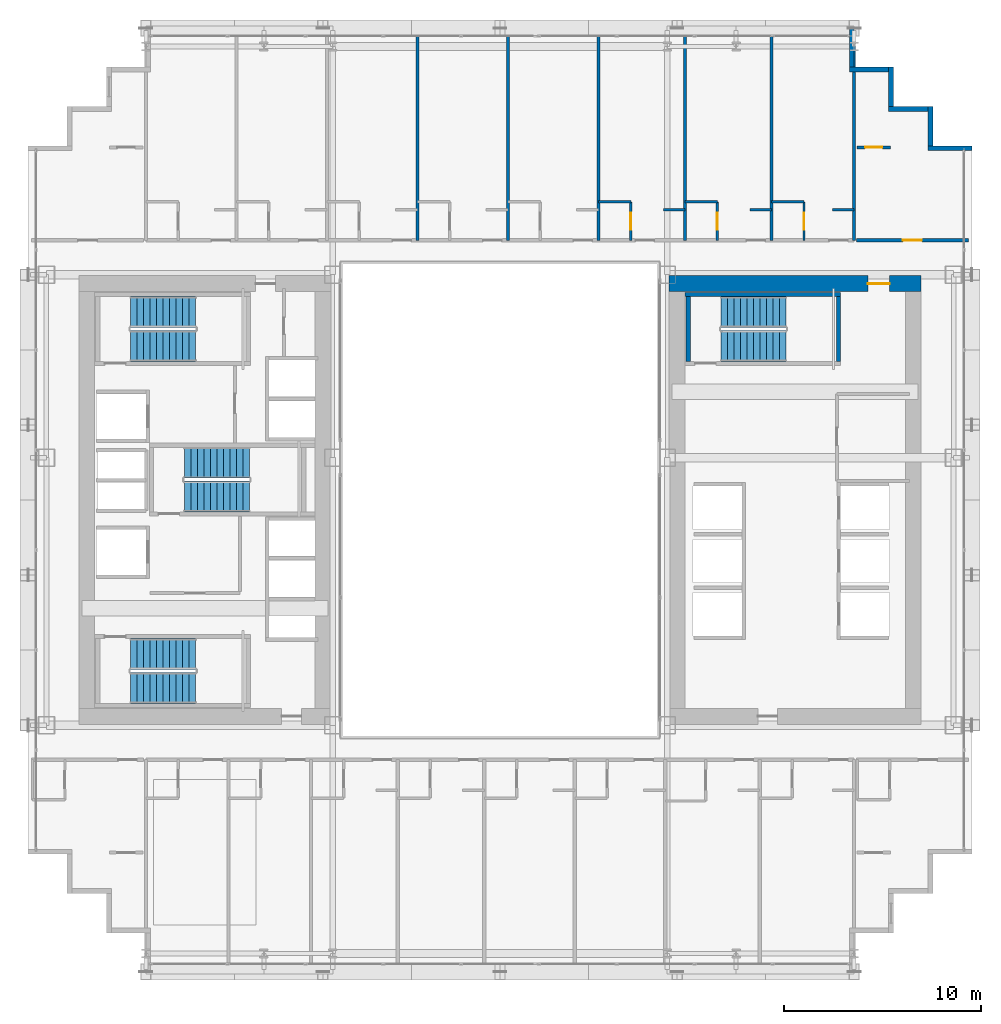
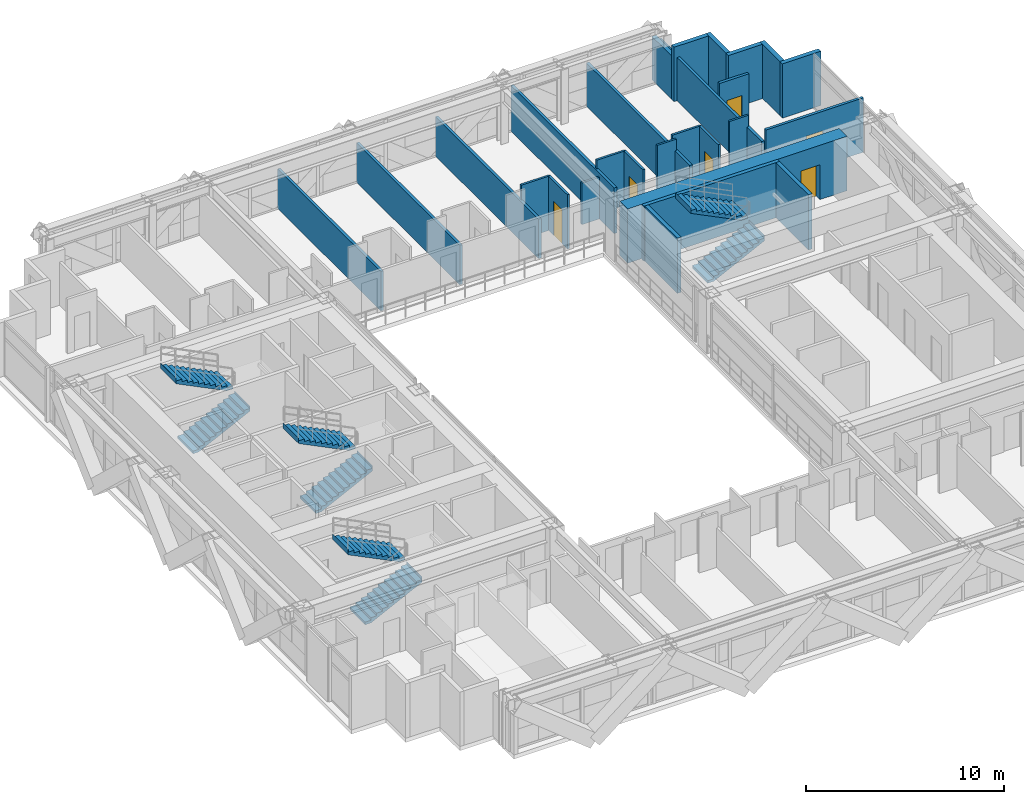
# One storey, part 37 of 41: 27 walls, 8 stair flights, 6 doors, 6 openings, 4 elements without a shape of their own.
"""IFC4 building model written with IfcOpenShell, lengths in metres."""

import ifcopenshell
import ifcopenshell.guid

model = None  # the IFC model being written
_history = None  # IfcOwnerHistory: only IFC2X3 demands one
_inside = {}  # id of a spatial element -> (the spatial element, [elements in it])
_under = {}  # id of a project, library or spatial element -> (it, [spatial elements below it])
_declared = {}  # id of a project -> (the project, [libraries it declares])
_typed = {}  # id of a type object -> (the type object, [elements of that type])
_made_of = {}  # id of a material, layer set ... -> (it, [elements and type objects made of it])


def new_model(schema):
    """Start an empty IFC model of exactly this schema.

    Asked for "IFC4X3", IfcOpenShell would pick the latest addendum, in which some entities
    have other attributes; the version numbers below select the first issue.
    IFC2X3 requires an IfcOwnerHistory on every rooted entity: one is made here for all.
    """
    global model, _history
    if schema == "IFC4X3":
        model = ifcopenshell.file(schema_version=(4, 3, 0, 0))
    else:
        model = ifcopenshell.file(schema=schema)
    _inside.clear()
    _under.clear()
    _declared.clear()
    _typed.clear()
    _made_of.clear()
    _history = None
    if model.schema == "IFC2X3":
        org = make("IfcOrganization", Name="unknown")
        user = make(
            "IfcPersonAndOrganization",
            ThePerson=make("IfcPerson", FamilyName="unknown"),
            TheOrganization=org,
        )
        app = make(
            "IfcApplication",
            ApplicationDeveloper=org,
            Version="unknown",
            ApplicationFullName="unknown",
            ApplicationIdentifier="unknown",
        )
        _history = make(
            "IfcOwnerHistory",
            OwningUser=user,
            OwningApplication=app,
            ChangeAction="ADDED",
            CreationDate=0,
        )
    return model


def make(cls, **values):
    """One entity of the class cls with the attributes given. An attribute that is None is left unset."""
    return model.create_entity(
        cls, **{name: value for name, value in values.items() if value is not None}
    )


def rooted(cls, **values):
    """An entity with a GlobalId (a new one), such as an element, a storey or a relation."""
    return make(cls, GlobalId=ifcopenshell.guid.new(), OwnerHistory=_history, **values)


def si_unit(unit_type, name, prefix=None):
    """IfcSIUnit, for example si_unit("LENGTHUNIT", "METRE", prefix="MILLI")."""
    return make("IfcSIUnit", UnitType=unit_type, Prefix=prefix, Name=name)


def assignment(units):
    """IfcUnitAssignment: the units of a project."""
    return None if units is None else make("IfcUnitAssignment", Units=units)


def point(xyz):
    """IfcCartesianPoint."""
    return None if xyz is None else make("IfcCartesianPoint", Coordinates=xyz)


def direction(xyz):
    """IfcDirection."""
    return None if xyz is None else make("IfcDirection", DirectionRatios=xyz)


def frame(location, z_axis=None, x_axis=None):
    """IfcAxis2Placement3D, a coordinate frame: its origin and axes. An axis left out is left unset."""
    return make(
        "IfcAxis2Placement3D",
        Location=point(location),
        Axis=direction(z_axis),
        RefDirection=direction(x_axis),
    )


def frame_2d(location, x_axis=None):
    """IfcAxis2Placement2D, a coordinate frame in the plane: its origin and x axis."""
    return make(
        "IfcAxis2Placement2D", Location=point(location), RefDirection=direction(x_axis)
    )


def origin():
    """The frame at (0, 0, 0) with its axes left unset."""
    return frame((0.0, 0.0, 0.0))


def place(relative_to, where):
    """IfcLocalPlacement: puts the frame where relative to a parent placement (None: the world)."""
    return make(
        "IfcLocalPlacement", PlacementRelTo=relative_to, RelativePlacement=where
    )


def context(
    kind, dimensions, precision=None, world=None, true_north=None, identifier=None
):
    """IfcGeometricRepresentationContext, for example the 3D "Model" context."""
    return make(
        "IfcGeometricRepresentationContext",
        ContextIdentifier=identifier,
        ContextType=kind,
        CoordinateSpaceDimension=dimensions,
        Precision=precision,
        WorldCoordinateSystem=world,
        TrueNorth=true_north,
    )


def subcontext(parent, identifier, kind, view, scale=None):
    """IfcGeometricRepresentationSubContext, for example "Body" below "Model"."""
    return make(
        "IfcGeometricRepresentationSubContext",
        ContextIdentifier=identifier,
        ContextType=kind,
        ParentContext=parent,
        TargetScale=scale,
        TargetView=view,
    )


def project(units=None, contexts=None):
    """IfcProject with its units and contexts."""
    return rooted(
        "IfcProject",
        Name="project",
        RepresentationContexts=contexts,
        UnitsInContext=assignment(units),
    )


def spatial(cls, under=None, at=None, **own):
    """A site, building, storey or space (cls), placed at a placement, below another one or the project."""
    s = rooted(cls, ObjectPlacement=at, **own)
    if under is not None:
        _under.setdefault(under.id(), (under, []))[1].append(s)
    return s


def polyline(points):
    """IfcPolyline through the points."""
    return make("IfcPolyline", Points=[point(p) for p in points])


def profile(cls, at=None, kind="AREA", **sizes):
    """A parametric profile (cls). Its sizes go by their IFC names, for example OverallWidth=200.0."""
    return make(cls, ProfileType=kind, Position=at, **sizes)


def rectangle(**sizes):
    """IfcRectangleProfileDef."""
    return profile("IfcRectangleProfileDef", **sizes)


def outline(outer, holes=None, kind="AREA"):
    """IfcArbitraryClosedProfileDef: a profile drawn as a closed curve; with holes, ...WithVoids."""
    if holes is None:
        return make("IfcArbitraryClosedProfileDef", ProfileType=kind, OuterCurve=outer)
    return make(
        "IfcArbitraryProfileDefWithVoids",
        ProfileType=kind,
        OuterCurve=outer,
        InnerCurves=holes,
    )


def extrude(swept, where, along, depth):
    """IfcExtrudedAreaSolid: the profile swept, set in the frame where, extruded along a direction by depth."""
    return make(
        "IfcExtrudedAreaSolid",
        SweptArea=swept,
        Position=where,
        ExtrudedDirection=direction(along),
        Depth=depth,
    )


def shape(context_of_items, identifier, shape_type, items):
    """IfcShapeRepresentation: the items that make up one representation, for example the "Body"."""
    return make(
        "IfcShapeRepresentation",
        ContextOfItems=context_of_items,
        RepresentationIdentifier=identifier,
        RepresentationType=shape_type,
        Items=items,
    )


def source(mapping_origin, context_of_items, identifier, shape_type, items):
    """IfcRepresentationMap: a shape defined once, which mapped items show again and again."""
    return make(
        "IfcRepresentationMap",
        MappingOrigin=mapping_origin,
        MappedRepresentation=shape(context_of_items, identifier, shape_type, items),
    )


def transform(
    local_origin,
    x_axis=None,
    y_axis=None,
    z_axis=None,
    scale=None,
    scale2=None,
    scale3=None,
    uniform=True,
):
    """IfcCartesianTransformationOperator3D, or its non-uniform kind. x_axis, y_axis, z_axis: its Axis1, 2, 3."""
    if uniform:
        return make(
            "IfcCartesianTransformationOperator3D",
            Axis1=direction(x_axis),
            Axis2=direction(y_axis),
            LocalOrigin=point(local_origin),
            Scale=scale,
            Axis3=direction(z_axis),
        )
    return make(
        "IfcCartesianTransformationOperator3DnonUniform",
        Axis1=direction(x_axis),
        Axis2=direction(y_axis),
        LocalOrigin=point(local_origin),
        Scale=scale,
        Axis3=direction(z_axis),
        Scale2=scale2,
        Scale3=scale3,
    )


def mapped(mapping_source, mapping_target):
    """IfcMappedItem: shows the shape of a source again, moved by a transform."""
    return make(
        "IfcMappedItem", MappingSource=mapping_source, MappingTarget=mapping_target
    )


def material(Name=None, Category=None):
    """IfcMaterial."""
    return make("IfcMaterial", Name=Name, Category=Category)


def layer(
    of_material, thickness, ventilated=None, Name=None, Category=None, Priority=None
):
    """IfcMaterialLayer: one layer of a wall or slab, of a material (None: an air gap)."""
    return make(
        "IfcMaterialLayer",
        Material=of_material,
        LayerThickness=thickness,
        IsVentilated=ventilated,
        Name=Name,
        Category=Category,
        Priority=Priority,
    )


def layer_set(layers, Name=None):
    """IfcMaterialLayerSet."""
    return make("IfcMaterialLayerSet", MaterialLayers=layers, LayerSetName=Name)


def made_of(thing, what):
    """Note that an element or type object is made of a material, layer set ...; save() writes the relation."""
    if what is not None:
        _made_of.setdefault(what.id(), (what, []))[1].append(thing)
    return thing


def type_object(cls, material=None, **own):
    """A type object (cls), such as IfcWallType, which elements share."""
    return made_of(rooted(cls, **own), material)


def element(
    cls,
    number,
    at=None,
    inside=None,
    cuts=None,
    type_object=None,
    material=None,
    context=None,
    identifier="Body",
    shape_type=None,
    held_by="IfcProductDefinitionShape",
    body=None,
    shapes=None,
    **own,
):
    """One element of the class cls, such as IfcWall. Its Tag is "e" and its number.

    at: its placement. inside: the storey or other place that contains it. cuts: it is an
    opening in that element (IfcRelVoidsElement). A single representation is given by context,
    identifier, shape_type and body (its items); several are given by shapes. held_by: the class
    of the entity that holds the representations. save() writes the other relations.
    """
    e = rooted(cls, Tag="e%d" % number, ObjectPlacement=at, **own)
    if body is not None:
        shapes = [shape(context, identifier, shape_type, body)]
    if shapes is not None:
        e.Representation = make(held_by, Representations=shapes)
    if inside is not None:
        _inside.setdefault(inside.id(), (inside, []))[1].append(e)
    if cuts is not None:
        rooted(
            "IfcRelVoidsElement", RelatingBuildingElement=cuts, RelatedOpeningElement=e
        )
    if type_object is not None:
        _typed.setdefault(type_object.id(), (type_object, []))[1].append(e)
    return made_of(e, material)


def fill(opening, filler):
    """IfcRelFillsElement: the door or window that sits in an opening."""
    return rooted(
        "IfcRelFillsElement",
        RelatingOpeningElement=opening,
        RelatedBuildingElement=filler,
    )


def aggregate(whole, parts):
    """IfcRelAggregates: a whole, such as a stair, and the parts it consists of."""
    return rooted("IfcRelAggregates", RelatingObject=whole, RelatedObjects=parts)


def save(model, path):
    """Write the relations noted so far, then the file.

    IfcRelAggregates (storeys below a building ...), IfcRelContainedInSpatialStructure (elements
    in a storey), IfcRelDefinesByType, IfcRelAssociatesMaterial and IfcRelDeclares: one each for
    every whole, place, type object, material and project.
    """
    for whole, parts in _under.values():
        aggregate(whole, parts)
    for where, things in _inside.values():
        rooted(
            "IfcRelContainedInSpatialStructure",
            RelatedElements=things,
            RelatingStructure=where,
        )
    for kind, things in _typed.values():
        rooted("IfcRelDefinesByType", RelatedObjects=things, RelatingType=kind)
    for what, things in _made_of.values():
        rooted("IfcRelAssociatesMaterial", RelatedObjects=things, RelatingMaterial=what)
    for by, libraries in _declared.values():
        rooted("IfcRelDeclares", RelatingContext=by, RelatedDefinitions=libraries)
    model.write(path)


model = new_model("IFC4")

# Units and contexts
model_context = context("Model", 3, precision=1e-05, world=origin(), true_north=direction((0.0, 1.0)))
body_context = subcontext(model_context, "Body", "Model", "MODEL_VIEW")
ifc_project = project(units=[si_unit("LENGTHUNIT", "METRE"), si_unit("AREAUNIT", "SQUARE_METRE"), si_unit("VOLUMEUNIT", "CUBIC_METRE"), si_unit("PLANEANGLEUNIT", "RADIAN"), si_unit("MASSUNIT", "GRAM", prefix="KILO")], contexts=[model_context])

# Site, building, storey
site_placement = place(None, origin())
site = spatial("IfcSite", under=ifc_project, at=site_placement, CompositionType="ELEMENT")
building_placement = place(site_placement, origin())
building = spatial("IfcBuilding", under=site, at=building_placement, Name="Ocotamira Hotel", CompositionType="ELEMENT")
storey_placement = place(building_placement, frame((0.0, 0.0, 38.39990234375)))
storey = spatial("IfcBuildingStorey", under=building, at=storey_placement, Name="L08", CompositionType="ELEMENT", Elevation=38.39990234375)

# Wall, opening, door
ifc_material_1 = material(Name="Concrete C60/75", Category="concrete")
ifc_layer_1 = layer(ifc_material_1, 0.800048828125)
ifc_layer_set_1 = layer_set([ifc_layer_1], Name="Concrete C60/75")
wall_type_1 = type_object("IfcWallType", Name="WL-CORE-800", PredefinedType="SHEAR", material=ifc_layer_set_1)
wall_1_placement = place(storey_placement, frame((40.60009765625, 37.0, 0.0), z_axis=(0.0, 0.0, 1.0), x_axis=(1.0, 0.0, 0.0)))
wall_1 = element("IfcWall", 1, at=wall_1_placement, inside=storey, type_object=wall_type_1, Name="L08 Shear Core Wall ECORE-N", PredefinedType="SHEAR", context=body_context, shape_type="SweptSolid", body=[
    extrude(rectangle(XDim=12.7998046875, YDim=0.800048828125, at=frame_2d((6.39990234375, 0.0))), origin(), (0.0, 0.0, 1.0), 3.35009765625),
])
opening_1_placement = place(wall_1_placement, frame((10.10009765625, 0.0, 0.0)))
opening_1 = element("IfcOpeningElement", 2, at=opening_1_placement, cuts=wall_1, Name="Opening D-FR1", PredefinedType="OPENING", context=body_context, shape_type="SweptSolid", body=[
    extrude(rectangle(XDim=1.10009765625, YDim=2.14990234375, at=frame_2d((0.550048828125, 1.074951171875))), frame((0.0, 0.41015625, 0.0), z_axis=(0.0, -1.0, 0.0), x_axis=(1.0, 0.0, 0.0)), (0.0, 0.0, 1.0), 0.820068359375),
])
ifc_material_2 = material(Name="Fire-rated acoustic timber-veneer door", Category="wood")
door_type_1 = type_object("IfcDoorType", Name="DR-FIRE-1100", OperationType="NOTDEFINED", PredefinedType="DOOR", material=ifc_material_2)
shared_shape_1 = source(origin(), body_context, "Body", "SweptSolid", [
    extrude(rectangle(XDim=1.10009765625, YDim=2.14990234375, at=frame_2d((0.550048828125, 1.074951171875))), frame((0.0, 0.02490234375, 0.0), z_axis=(0.0, -1.0, 0.0), x_axis=(1.0, 0.0, 0.0)), (0.0, 0.0, 1.0), 0.050048828125),
])
door_1_placement = place(opening_1_placement, origin())
door_1 = element("IfcDoor", 3, at=door_1_placement, inside=storey, type_object=door_type_1, Name="L08 Door ID-L08-ELOB-N-D [ID-L08-ELOB-N-D]", OperationType="SINGLE_SWING_LEFT", OverallHeight=2.14990234375, OverallWidth=1.10009765625, PredefinedType="DOOR", context=body_context, shape_type="MappedRepresentation", body=[
    mapped(shared_shape_1, transform((0.0, 0.0, 0.0), scale=1.0)),
])
fill(opening_1, door_1)

# Walls
ifc_material_3 = material(Name="Precast concrete C45/55", Category="concrete")
ifc_layer_2 = layer(ifc_material_3, 0.25)
ifc_layer_set_2 = layer_set([ifc_layer_2], Name="Precast concrete C45/55")
wall_type_2 = type_object("IfcWallType", Name="WL-EXT-SER-250", PredefinedType="SOLIDWALL", material=ifc_layer_set_2)
wall_2_placement = place(storey_placement, frame((56.0, 43.875, 0.0), z_axis=(0.0, 0.0, 1.0), x_axis=(-1.0, 0.0, 0.0)))
element("IfcWall", 4, at=wall_2_placement, inside=storey, type_object=wall_type_2, Name="L08 Serrated Corner Wall 07", PredefinedType="SOLIDWALL", context=body_context, shape_type="SweptSolid", body=[
    extrude(rectangle(XDim=2.25, YDim=0.25, at=frame_2d((1.125, 0.0))), origin(), (0.0, 0.0, 1.0), 3.35009765625),
])
for number, where, z_axis, x_axis, name in (
    (5, (53.875, 44.0, 0.0), (0.0, 0.0, 1.0), (0.0, 1.0, 0.0), "L08 Serrated Corner Wall 08"),
    (6, (53.75, 45.875, 0.0), (0.0, 0.0, 1.0), (-1.0, 0.0, 0.0), "L08 Serrated Corner Wall 09"),
    (7, (51.875, 46.0, 0.0), (0.0, 0.0, 1.0), (0.0, 1.0, 0.0), "L08 Serrated Corner Wall 10"),
    (8, (51.75, 47.875, 0.0), (0.0, 0.0, 1.0), (-1.0, 0.0, 0.0), "L08 Serrated Corner Wall 11"),
):
    element("IfcWall", number, at=place(storey_placement, frame(where, z_axis=z_axis, x_axis=x_axis)), inside=storey, type_object=wall_type_2, Name=name, PredefinedType="SOLIDWALL", context=body_context, shape_type="SweptSolid", body=[
        extrude(rectangle(XDim=2.0, YDim=0.25, at=frame_2d((1.0, 0.0))), origin(), (0.0, 0.0, 1.0), 3.35009765625),
    ])
wall_3_placement = place(storey_placement, frame((49.875, 48.0, 0.0), z_axis=(0.0, 0.0, 1.0), x_axis=(0.0, 1.0, 0.0)))
element("IfcWall", 9, at=wall_3_placement, inside=storey, type_object=wall_type_2, Name="L08 Serrated Corner Wall 12", PredefinedType="SOLIDWALL", context=body_context, shape_type="SweptSolid", body=[
    extrude(rectangle(XDim=2.0, YDim=0.25, at=frame_2d((1.0, 0.0))), origin(), (0.0, 0.0, 1.0), 2.656982421875),
])

# Wall, opening, door
ifc_material_4 = material(Name="Acoustic double-layer fire gypsum board partition", Category="gypsum")
ifc_layer_3 = layer(ifc_material_4, 0.159912109375)
ifc_layer_set_3 = layer_set([ifc_layer_3], Name="Acoustic double-layer fire gypsum board partition")
wall_type_3 = type_object("IfcWallType", Name="WL-FIRE-160", PredefinedType="PARTITIONING", material=ifc_layer_set_3)
wall_4_placement = place(storey_placement, frame((50.1201171875, 39.199951171875, 0.0), z_axis=(0.0, 0.0, 1.0), x_axis=(1.0, 0.0, 0.0)))
wall_4 = element("IfcWall", 10, at=wall_4_placement, inside=storey, type_object=wall_type_3, Name="L08 Interior Wall PW-L08-Z1A-CNE-CW", PredefinedType="PARTITIONING", context=body_context, shape_type="SweptSolid", body=[
    extrude(rectangle(XDim=5.679931640625, YDim=0.159912109375, at=frame_2d((2.83984375, 0.0))), origin(), (0.0, 0.0, 1.0), 3.35009765625),
])
opening_2_placement = place(wall_4_placement, frame((2.360107421875, 0.0, 0.0)))
opening_2 = element("IfcOpeningElement", 11, at=opening_2_placement, cuts=wall_4, Name="Opening D-SV4", PredefinedType="OPENING", context=body_context, shape_type="SweptSolid", body=[
    extrude(rectangle(XDim=0.9599609375, YDim=2.14990234375, at=frame_2d((0.47998046875, 1.074951171875))), frame((0.0, 0.08984375, 0.0), z_axis=(0.0, -1.0, 0.0), x_axis=(1.0, 0.0, 0.0)), (0.0, 0.0, 1.0), 0.179931640625),
])
ifc_material_5 = material(Name="Fire-rated accessible walnut salon door", Category="wood")
door_type_2 = type_object("IfcDoorType", Name="DR-SERV-960", OperationType="NOTDEFINED", PredefinedType="DOOR", material=ifc_material_5)
shared_shape_2 = source(origin(), body_context, "Body", "SweptSolid", [
    extrude(rectangle(XDim=0.9599609375, YDim=2.14990234375, at=frame_2d((0.47998046875, 1.074951171875))), frame((0.0, 0.02490234375, 0.0), z_axis=(0.0, -1.0, 0.0), x_axis=(1.0, 0.0, 0.0)), (0.0, 0.0, 1.0), 0.050048828125),
])
door_2_placement = place(opening_2_placement, origin())
door_2 = element("IfcDoor", 12, at=door_2_placement, inside=storey, type_object=door_type_2, Name="L08 Door ID-L08-Z1A-CNE-CD [ID-L08-Z1A-CNE-CD]", OperationType="SINGLE_SWING_LEFT", OverallHeight=2.14990234375, OverallWidth=0.9599609375, PredefinedType="DOOR", context=body_context, shape_type="MappedRepresentation", body=[
    mapped(shared_shape_2, transform((0.0, 0.0, 0.0), scale=1.0)),
])
fill(opening_2, door_2)

wall_5_placement = place(storey_placement, frame((50.14990234375, 43.919921875, 0.0), z_axis=(0.0, 0.0, 1.0), x_axis=(1.0, 0.0, 0.0)))
wall_5 = element("IfcWall", 13, at=wall_5_placement, inside=storey, type_object=wall_type_3, Name="L08 Interior Wall PW-L08-Z1A-CNE2-CW", PredefinedType="PARTITIONING", context=body_context, shape_type="SweptSolid", body=[
    extrude(rectangle(XDim=1.7001953125, YDim=0.159912109375, at=frame_2d((0.85009765625, 0.0))), origin(), (0.0, 0.0, 1.0), 3.35009765625),
])
opening_3_placement = place(wall_5_placement, frame((0.409912109375, 0.0, 0.0)))
opening_3 = element("IfcOpeningElement", 14, at=opening_3_placement, cuts=wall_5, Name="Opening D-SV2", PredefinedType="OPENING", context=body_context, shape_type="SweptSolid", body=[
    extrude(rectangle(XDim=0.8798828125, YDim=2.14990234375, at=frame_2d((0.43994140625, 1.074951171875))), frame((0.0, 0.08984375, 0.0), z_axis=(0.0, -1.0, 0.0), x_axis=(1.0, 0.0, 0.0)), (0.0, 0.0, 1.0), 0.179931640625),
])
ifc_material_6 = material(Name="Fire-rated painted steel service door", Category="steel")
door_type_3 = type_object("IfcDoorType", Name="DR-SERV-880", OperationType="NOTDEFINED", PredefinedType="DOOR", material=ifc_material_6)
shared_shape_3 = source(origin(), body_context, "Body", "SweptSolid", [
    extrude(rectangle(XDim=0.8798828125, YDim=2.14990234375, at=frame_2d((0.43994140625, 1.074951171875))), frame((0.0, 0.02490234375, 0.0), z_axis=(0.0, -1.0, 0.0), x_axis=(1.0, 0.0, 0.0)), (0.0, 0.0, 1.0), 0.050048828125),
])
door_3_placement = place(opening_3_placement, origin())
door_3 = element("IfcDoor", 15, at=door_3_placement, inside=storey, type_object=door_type_3, Name="L08 Door ID-L08-Z1A-CNE2-CD [ID-L08-Z1A-CNE2-CD]", OperationType="SINGLE_SWING_LEFT", OverallHeight=2.14990234375, OverallWidth=0.8798828125, PredefinedType="DOOR", context=body_context, shape_type="MappedRepresentation", body=[
    mapped(shared_shape_3, transform((0.0, 0.0, 0.0), scale=1.0)),
])
fill(opening_3, door_3)

ifc_material_7 = material(Name="Moisture-resistant en-suite tile and gypsum partition", Category="gypsum")
ifc_layer_4 = layer(ifc_material_7, 0.1201171875)
ifc_layer_set_4 = layer_set([ifc_layer_4], Name="Moisture-resistant en-suite tile and gypsum partition")
wall_type_4 = type_object("IfcWallType", Name="WL-PART-120", PredefinedType="PARTITIONING", material=ifc_layer_set_4)
wall_6_placement = place(storey_placement, frame((38.64990234375, 39.199951171875, 0.0), z_axis=(0.0, 0.0, 1.0), x_axis=(0.0, 1.0, 0.0)))
wall_6 = element("IfcWall", 16, at=wall_6_placement, inside=storey, type_object=wall_type_4, Name="L08 Interior Wall PW-L08-Z1AN-BAE6", PredefinedType="PARTITIONING", context=body_context, shape_type="SweptSolid", body=[
    extrude(rectangle(XDim=1.949951171875, YDim=0.1201171875, at=frame_2d((0.97509765625, 0.0))), origin(), (0.0, 0.0, 1.0), 3.35009765625),
])
opening_4_placement = place(wall_6_placement, frame((0.544921875, 0.0, 0.0)))
opening_4 = element("IfcOpeningElement", 17, at=opening_4_placement, cuts=wall_6, Name="Opening D-BA1", PredefinedType="OPENING", context=body_context, shape_type="SweptSolid", body=[
    extrude(rectangle(XDim=0.860107421875, YDim=2.10009765625, at=frame_2d((0.43017578125, 1.050048828125))), frame((0.0, 0.070068359375, 0.0), z_axis=(0.0, -1.0, 0.0), x_axis=(1.0, 0.0, 0.0)), (0.0, 0.0, 1.0), 0.14013671875),
])
ifc_material_8 = material(Name="Moisture-sealed en-suite timber door", Category="wood")
door_type_4 = type_object("IfcDoorType", Name="DR-BATH-860", OperationType="NOTDEFINED", PredefinedType="DOOR", material=ifc_material_8)
shared_shape_4 = source(origin(), body_context, "Body", "SweptSolid", [
    extrude(rectangle(XDim=0.860107421875, YDim=2.10009765625, at=frame_2d((0.43017578125, 1.050048828125))), frame((0.0, 0.02490234375, 0.0), z_axis=(0.0, -1.0, 0.0), x_axis=(1.0, 0.0, 0.0)), (0.0, 0.0, 1.0), 0.050048828125),
])
door_4_placement = place(opening_4_placement, origin())
door_4 = element("IfcDoor", 18, at=door_4_placement, inside=storey, type_object=door_type_4, Name="L08 Door ID-L08-Z1AN-BAD6 [ID-L08-Z1AN-BAD6]", OperationType="SINGLE_SWING_LEFT", OverallHeight=2.10009765625, OverallWidth=0.860107421875, PredefinedType="DOOR", context=body_context, shape_type="MappedRepresentation", body=[
    mapped(shared_shape_4, transform((0.0, 0.0, 0.0), scale=1.0)),
])
fill(opening_4, door_4)

# Walls
wall_7_placement = place(storey_placement, frame((37.0, 41.14990234375, 0.0), z_axis=(0.0, 0.0, 1.0), x_axis=(1.0, 0.0, 0.0)))
element("IfcWall", 19, at=wall_7_placement, inside=storey, type_object=wall_type_4, Name="L08 Interior Wall PW-L08-Z1AN-BAN6", PredefinedType="PARTITIONING", context=body_context, shape_type="SweptSolid", body=[
    extrude(rectangle(XDim=1.64990234375, YDim=0.1201171875, at=frame_2d((0.824951171875, 0.0))), origin(), (0.0, 0.0, 1.0), 3.35009765625),
])
wall_8_placement = place(storey_placement, frame((40.300048828125, 40.75, 0.0), z_axis=(0.0, 0.0, 1.0), x_axis=(1.0, 0.0, 0.0)))
element("IfcWall", 20, at=wall_8_placement, inside=storey, type_object=wall_type_4, Name="L08 Interior Wall PW-L08-Z1AN-DRN6", PredefinedType="PARTITIONING", context=body_context, shape_type="SweptSolid", body=[
    extrude(rectangle(XDim=1.099853515625, YDim=0.1201171875, at=frame_2d((0.5498046875, 0.0))), origin(), (0.0, 0.0, 1.0), 2.571044921875),
])

# Wall, opening, door
wall_9_placement = place(storey_placement, frame((43.050048828125, 39.199951171875, 0.0), z_axis=(0.0, 0.0, 1.0), x_axis=(0.0, 1.0, 0.0)))
wall_9 = element("IfcWall", 21, at=wall_9_placement, inside=storey, type_object=wall_type_4, Name="L08 Interior Wall PW-L08-Z1AN-BAE7", PredefinedType="PARTITIONING", context=body_context, shape_type="SweptSolid", body=[
    extrude(rectangle(XDim=1.949951171875, YDim=0.1201171875, at=frame_2d((0.97509765625, 0.0))), origin(), (0.0, 0.0, 1.0), 3.35009765625),
])
opening_5_placement = place(wall_9_placement, frame((0.544921875, 0.0, 0.0)))
opening_5 = element("IfcOpeningElement", 22, at=opening_5_placement, cuts=wall_9, Name="Opening D-BA1", PredefinedType="OPENING", context=body_context, shape_type="SweptSolid", body=[
    extrude(rectangle(XDim=0.860107421875, YDim=2.10009765625, at=frame_2d((0.43017578125, 1.050048828125))), frame((0.0, 0.070068359375, 0.0), z_axis=(0.0, -1.0, 0.0), x_axis=(1.0, 0.0, 0.0)), (0.0, 0.0, 1.0), 0.14013671875),
])
door_5_placement = place(opening_5_placement, origin())
door_5 = element("IfcDoor", 23, at=door_5_placement, inside=storey, type_object=door_type_4, Name="L08 Door ID-L08-Z1AN-BAD7 [ID-L08-Z1AN-BAD7]", OperationType="SINGLE_SWING_RIGHT", OverallHeight=2.10009765625, OverallWidth=0.860107421875, PredefinedType="DOOR", context=body_context, shape_type="MappedRepresentation", body=[
    mapped(shared_shape_4, transform((0.0, 0.0, 0.0), scale=1.0)),
])
fill(opening_5, door_5)

# Walls
wall_10_placement = place(storey_placement, frame((41.39990234375, 41.14990234375, 0.0), z_axis=(0.0, 0.0, 1.0), x_axis=(1.0, 0.0, 0.0)))
element("IfcWall", 24, at=wall_10_placement, inside=storey, type_object=wall_type_4, Name="L08 Interior Wall PW-L08-Z1AN-BAN7", PredefinedType="PARTITIONING", context=body_context, shape_type="SweptSolid", body=[
    extrude(rectangle(XDim=1.650146484375, YDim=0.1201171875, at=frame_2d((0.8251953125, 0.0))), origin(), (0.0, 0.0, 1.0), 3.35009765625),
])
wall_11_placement = place(storey_placement, frame((44.699951171875, 40.75, 0.0), z_axis=(0.0, 0.0, 1.0), x_axis=(1.0, 0.0, 0.0)))
element("IfcWall", 25, at=wall_11_placement, inside=storey, type_object=wall_type_4, Name="L08 Interior Wall PW-L08-Z1AN-DRN7", PredefinedType="PARTITIONING", context=body_context, shape_type="SweptSolid", body=[
    extrude(rectangle(XDim=1.10009765625, YDim=0.1201171875, at=frame_2d((0.550048828125, 0.0))), origin(), (0.0, 0.0, 1.0), 3.35009765625),
])

# Wall, opening, door
wall_12_placement = place(storey_placement, frame((47.449951171875, 39.199951171875, 0.0), z_axis=(0.0, 0.0, 1.0), x_axis=(0.0, 1.0, 0.0)))
wall_12 = element("IfcWall", 26, at=wall_12_placement, inside=storey, type_object=wall_type_4, Name="L08 Interior Wall PW-L08-Z1AN-BAE8", PredefinedType="PARTITIONING", context=body_context, shape_type="SweptSolid", body=[
    extrude(rectangle(XDim=1.949951171875, YDim=0.1201171875, at=frame_2d((0.97509765625, 0.0))), origin(), (0.0, 0.0, 1.0), 3.35009765625),
])
opening_6_placement = place(wall_12_placement, frame((0.544921875, 0.0, 0.0)))
opening_6 = element("IfcOpeningElement", 27, at=opening_6_placement, cuts=wall_12, Name="Opening D-BA1", PredefinedType="OPENING", context=body_context, shape_type="SweptSolid", body=[
    extrude(rectangle(XDim=0.860107421875, YDim=2.10009765625, at=frame_2d((0.43017578125, 1.050048828125))), frame((0.0, 0.070068359375, 0.0), z_axis=(0.0, -1.0, 0.0), x_axis=(1.0, 0.0, 0.0)), (0.0, 0.0, 1.0), 0.14013671875),
])
door_6_placement = place(opening_6_placement, origin())
door_6 = element("IfcDoor", 28, at=door_6_placement, inside=storey, type_object=door_type_4, Name="L08 Door ID-L08-Z1AN-BAD8 [ID-L08-Z1AN-BAD8]", OperationType="SINGLE_SWING_LEFT", OverallHeight=2.10009765625, OverallWidth=0.860107421875, PredefinedType="DOOR", context=body_context, shape_type="MappedRepresentation", body=[
    mapped(shared_shape_4, transform((0.0, 0.0, 0.0), scale=1.0)),
])
fill(opening_6, door_6)

# Walls
wall_13_placement = place(storey_placement, frame((45.800048828125, 41.14990234375, 0.0), z_axis=(0.0, 0.0, 1.0), x_axis=(1.0, 0.0, 0.0)))
element("IfcWall", 29, at=wall_13_placement, inside=storey, type_object=wall_type_4, Name="L08 Interior Wall PW-L08-Z1AN-BAN8", PredefinedType="PARTITIONING", context=body_context, shape_type="SweptSolid", body=[
    extrude(rectangle(XDim=1.64990234375, YDim=0.1201171875, at=frame_2d((0.824951171875, 0.0))), origin(), (0.0, 0.0, 1.0), 3.35009765625),
])
wall_14_placement = place(storey_placement, frame((48.89990234375, 40.75, 0.0), z_axis=(0.0, 0.0, 1.0), x_axis=(1.0, 0.0, 0.0)))
element("IfcWall", 30, at=wall_14_placement, inside=storey, type_object=wall_type_4, Name="L08 Interior Wall PW-L08-Z1AN-DRN8", PredefinedType="PARTITIONING", context=body_context, shape_type="SweptSolid", body=[
    extrude(rectangle(XDim=1.10009765625, YDim=0.1201171875, at=frame_2d((0.550048828125, 0.0))), origin(), (0.0, 0.0, 1.0), 3.35009765625),
])
ifc_material_9 = material(Name="Acoustic double-stud hospitality gypsum partition", Category="gypsum")
ifc_layer_5 = layer(ifc_material_9, 0.159912109375)
ifc_layer_set_5 = layer_set([ifc_layer_5], Name="Acoustic double-stud hospitality gypsum partition")
wall_type_5 = type_object("IfcWallType", Name="WL-PART-160", PredefinedType="PARTITIONING", material=ifc_layer_set_5)
wall_15_placement = place(storey_placement, frame((50.0, 39.199951171875, 0.0), z_axis=(0.0, 0.0, 1.0), x_axis=(0.0, 1.0, 0.0)))
element("IfcWall", 31, at=wall_15_placement, inside=storey, type_object=wall_type_5, Name="L08 Interior Wall PW-L08-Z1AN-PWEND", PredefinedType="PARTITIONING", context=body_context, shape_type="SweptSolid", body=[
    extrude(rectangle(XDim=10.43994140625, YDim=0.159912109375, at=frame_2d((5.219970703125, 0.0))), origin(), (0.0, 0.0, 1.0), 2.656982421875),
])
for number, where, z_axis, x_axis, name in (
    (32, (27.800048828125, 39.199951171875, 0.0), (0.0, 0.0, 1.0), (0.0, 1.0, 0.0), "L08 Interior Wall PW-L08-Z1AN-PW3"),
    (33, (32.39990234375, 39.199951171875, 0.0), (0.0, 0.0, 1.0), (0.0, 1.0, 0.0), "L08 Interior Wall PW-L08-Z1AN-PW4"),
    (34, (37.0, 39.199951171875, 0.0), (0.0, 0.0, 1.0), (0.0, 1.0, 0.0), "L08 Interior Wall PW-L08-Z1AN-PW5"),
):
    element("IfcWall", number, at=place(storey_placement, frame(where, z_axis=z_axis, x_axis=x_axis)), inside=storey, type_object=wall_type_5, Name=name, PredefinedType="PARTITIONING", context=body_context, shape_type="SweptSolid", body=[
        extrude(rectangle(XDim=10.43994140625, YDim=0.159912109375, at=frame_2d((5.219970703125, 0.0))), origin(), (0.0, 0.0, 1.0), 2.423095703125),
    ])
wall_16_placement = place(storey_placement, frame((41.39990234375, 39.199951171875, 0.0), z_axis=(0.0, 0.0, 1.0), x_axis=(0.0, 1.0, 0.0)))
element("IfcWall", 35, at=wall_16_placement, inside=storey, type_object=wall_type_5, Name="L08 Interior Wall PW-L08-Z1AN-PW6", PredefinedType="PARTITIONING", context=body_context, shape_type="SweptSolid", body=[
    extrude(rectangle(XDim=10.43994140625, YDim=0.159912109375, at=frame_2d((5.219970703125, 0.0))), origin(), (0.0, 0.0, 1.0), 2.81298828125),
])
wall_17_placement = place(storey_placement, frame((45.800048828125, 39.199951171875, 0.0), z_axis=(0.0, 0.0, 1.0), x_axis=(0.0, 1.0, 0.0)))
element("IfcWall", 36, at=wall_17_placement, inside=storey, type_object=wall_type_5, Name="L08 Interior Wall PW-L08-Z1AN-PW7", PredefinedType="PARTITIONING", context=body_context, shape_type="SweptSolid", body=[
    extrude(rectangle(XDim=10.43994140625, YDim=0.159912109375, at=frame_2d((5.219970703125, 0.0))), origin(), (0.0, 0.0, 1.0), 2.656982421875),
])
ifc_material_10 = material(Name="Concrete C50/60", Category="concrete")
ifc_layer_6 = layer(ifc_material_10, 0.219970703125)
ifc_layer_set_6 = layer_set([ifc_layer_6], Name="Concrete C50/60")
wall_type_6 = type_object("IfcWallType", Name="WL-STAIR-220", PredefinedType="SHEAR", material=ifc_layer_set_6)
wall_18_placement = place(storey_placement, frame((41.39990234375, 36.43994140625, 0.0), z_axis=(0.0, 0.0, 1.0), x_axis=(1.0, 0.0, 0.0)))
element("IfcWall", 37, at=wall_18_placement, inside=storey, type_object=wall_type_6, Name="L08 Stair Shaft Structural Wall ST-4-N", PredefinedType="SHEAR", context=body_context, shape_type="SweptSolid", body=[
    extrude(rectangle(XDim=7.91015625, YDim=0.219970703125, at=frame_2d((3.955078125, 0.0))), origin(), (0.0, 0.0, 1.0), 3.400146484375),
])
for number, where, z_axis, x_axis, name in (
    (38, (41.56005859375, 33.050048828125, 0.0), (0.0, 0.0, 1.0), (0.0, 1.0, 0.0), "L08 Stair Shaft Structural Wall ST-4-W"),
    (39, (49.199951171875, 33.050048828125, 0.0), (0.0, 0.0, 1.0), (0.0, 1.0, 0.0), "L08 Stair Shaft Structural Wall ST-4-E"),
):
    element("IfcWall", number, at=place(storey_placement, frame(where, z_axis=z_axis, x_axis=x_axis)), inside=storey, type_object=wall_type_6, Name=name, PredefinedType="SHEAR", context=body_context, shape_type="SweptSolid", body=[
        extrude(rectangle(XDim=3.280029296875, YDim=0.219970703125, at=frame_2d((1.64013671875, 0.0))), origin(), (0.0, 0.0, 1.0), 3.400146484375),
    ])

# Stair, stair flights
ifc_material_11 = material(Name="Concrete C40/50", Category="concrete")
stair_type = type_object("IfcStairType", Name="ST-CORE-1560", PredefinedType="HALF_TURN_STAIR", material=ifc_material_11)
stair_1_placement = place(storey_placement, origin())
stair_1 = element("IfcStair", 40, at=stair_1_placement, inside=storey, type_object=stair_type, Name="L08 Exit Stair ST-1", PredefinedType="HALF_TURN_STAIR")
stair_flight_type = type_object("IfcStairFlightType", Name="STF-CORE-1560", PredefinedType="STRAIGHT", material=ifc_material_11)
shared_shape_5 = source(origin(), body_context, "Body", "SweptSolid", [
    extrude(outline(polyline([(-0.00390625, 0.0), (-0.00390625, 0.16357421875), (0.330078125, 0.16357421875), (0.330078125, 0.327392578125), (0.659912109375, 0.327392578125), (0.659912109375, 0.490966796875), (0.989990234375, 0.490966796875), (0.989990234375, 0.654541015625), (1.320068359375, 0.654541015625), (1.320068359375, 0.818115234375), (1.64990234375, 0.818115234375), (1.64990234375, 0.98193359375), (1.97998046875, 0.98193359375), (1.97998046875, 1.1455078125), (2.31005859375, 1.1455078125), (2.31005859375, 1.30908203125), (2.639892578125, 1.30908203125), (2.639892578125, 1.47265625), (2.969970703125, 1.47265625), (2.969970703125, 1.636474609375), (3.300048828125, 1.636474609375), (3.300048828125, 1.800048828125), (3.303955078125, 1.800048828125), (3.303955078125, 1.468994140625), (0.33740234375, 0.0), (-0.00390625, 0.0)])), frame((0.0, 0.780029296875, 0.0), z_axis=(0.0, -1.0, 0.0), x_axis=(1.0, 0.0, 0.0)), (0.0, 0.0, 1.0), 1.56005859375),
])
stair_flight_1_placement = place(storey_placement, frame((13.22998046875, 16.449951171875, 0.0), z_axis=(0.0, 0.0, 1.0), x_axis=(1.0, 0.0, 0.0)))
stair_flight_1 = element("IfcStairFlight", 41, at=stair_flight_1_placement, type_object=stair_flight_type, Name="ST-1 flight 1", NumberOfRisers=11, NumberOfTreads=10, PredefinedType="STRAIGHT", RiserHeight=0.163636364, TreadLength=0.33, context=body_context, shape_type="MappedRepresentation", body=[
    mapped(shared_shape_5, transform((0.0, 0.0, 0.0), scale=1.0)),
])
stair_flight_2_placement = place(storey_placement, frame((16.530029296875, 18.169921875, 1.800048828125), z_axis=(0.0, 0.0, 1.0), x_axis=(-1.0, 0.0, 0.0)))
stair_flight_2 = element("IfcStairFlight", 42, at=stair_flight_2_placement, type_object=stair_flight_type, Name="ST-1 flight 2", NumberOfRisers=11, NumberOfTreads=10, PredefinedType="STRAIGHT", RiserHeight=0.163636364, TreadLength=0.33, context=body_context, shape_type="MappedRepresentation", body=[
    mapped(shared_shape_5, transform((0.0, 0.0, 0.0), scale=1.0)),
])
aggregate(stair_1, [stair_flight_1, stair_flight_2])

stair_2_placement = place(storey_placement, origin())
stair_2 = element("IfcStair", 43, at=stair_2_placement, inside=storey, type_object=stair_type, Name="L08 Exit Stair ST-2", PredefinedType="HALF_TURN_STAIR")
stair_flight_3_placement = place(storey_placement, frame((13.22998046875, 33.830078125, 0.0), z_axis=(0.0, 0.0, 1.0), x_axis=(1.0, 0.0, 0.0)))
stair_flight_3 = element("IfcStairFlight", 44, at=stair_flight_3_placement, type_object=stair_flight_type, Name="ST-2 flight 1", NumberOfRisers=11, NumberOfTreads=10, PredefinedType="STRAIGHT", RiserHeight=0.163636364, TreadLength=0.33, context=body_context, shape_type="MappedRepresentation", body=[
    mapped(shared_shape_5, transform((0.0, 0.0, 0.0), scale=1.0)),
])
stair_flight_4_placement = place(storey_placement, frame((16.530029296875, 35.550048828125, 1.800048828125), z_axis=(0.0, 0.0, 1.0), x_axis=(-1.0, 0.0, 0.0)))
stair_flight_4 = element("IfcStairFlight", 45, at=stair_flight_4_placement, type_object=stair_flight_type, Name="ST-2 flight 2", NumberOfRisers=11, NumberOfTreads=10, PredefinedType="STRAIGHT", RiserHeight=0.163636364, TreadLength=0.33, context=body_context, shape_type="MappedRepresentation", body=[
    mapped(shared_shape_5, transform((0.0, 0.0, 0.0), scale=1.0)),
])
aggregate(stair_2, [stair_flight_3, stair_flight_4])

stair_3_placement = place(storey_placement, origin())
stair_3 = element("IfcStair", 46, at=stair_3_placement, inside=storey, type_object=stair_type, Name="L08 Exit Stair ST-3", PredefinedType="HALF_TURN_STAIR")
stair_flight_5_placement = place(storey_placement, frame((15.9599609375, 26.179931640625, 0.0), z_axis=(0.0, 0.0, 1.0), x_axis=(1.0, 0.0, 0.0)))
stair_flight_5 = element("IfcStairFlight", 47, at=stair_flight_5_placement, type_object=stair_flight_type, Name="ST-3 flight 1", NumberOfRisers=11, NumberOfTreads=10, PredefinedType="STRAIGHT", RiserHeight=0.163636364, TreadLength=0.33, context=body_context, shape_type="MappedRepresentation", body=[
    mapped(shared_shape_5, transform((0.0, 0.0, 0.0), scale=1.0)),
])
stair_flight_6_placement = place(storey_placement, frame((19.260009765625, 27.89990234375, 1.800048828125), z_axis=(0.0, 0.0, 1.0), x_axis=(-1.0, 0.0, 0.0)))
stair_flight_6 = element("IfcStairFlight", 48, at=stair_flight_6_placement, type_object=stair_flight_type, Name="ST-3 flight 2", NumberOfRisers=11, NumberOfTreads=10, PredefinedType="STRAIGHT", RiserHeight=0.163636364, TreadLength=0.33, context=body_context, shape_type="MappedRepresentation", body=[
    mapped(shared_shape_5, transform((0.0, 0.0, 0.0), scale=1.0)),
])
aggregate(stair_3, [stair_flight_5, stair_flight_6])

stair_4_placement = place(storey_placement, origin())
stair_4 = element("IfcStair", 49, at=stair_4_placement, inside=storey, type_object=stair_type, Name="L08 Exit Stair ST-4", PredefinedType="HALF_TURN_STAIR")
stair_flight_7_placement = place(storey_placement, frame((43.22998046875, 33.830078125, 0.0), z_axis=(0.0, 0.0, 1.0), x_axis=(1.0, 0.0, 0.0)))
stair_flight_7 = element("IfcStairFlight", 50, at=stair_flight_7_placement, type_object=stair_flight_type, Name="ST-4 flight 1", NumberOfRisers=11, NumberOfTreads=10, PredefinedType="STRAIGHT", RiserHeight=0.163636364, TreadLength=0.33, context=body_context, shape_type="MappedRepresentation", body=[
    mapped(shared_shape_5, transform((0.0, 0.0, 0.0), scale=1.0)),
])
stair_flight_8_placement = place(storey_placement, frame((46.530029296875, 35.550048828125, 1.800048828125), z_axis=(0.0, 0.0, 1.0), x_axis=(-1.0, 0.0, 0.0)))
stair_flight_8 = element("IfcStairFlight", 51, at=stair_flight_8_placement, type_object=stair_flight_type, Name="ST-4 flight 2", NumberOfRisers=11, NumberOfTreads=10, PredefinedType="STRAIGHT", RiserHeight=0.163636364, TreadLength=0.33, context=body_context, shape_type="MappedRepresentation", body=[
    mapped(shared_shape_5, transform((0.0, 0.0, 0.0), scale=1.0)),
])
aggregate(stair_4, [stair_flight_7, stair_flight_8])

save(model, "model.ifc")
